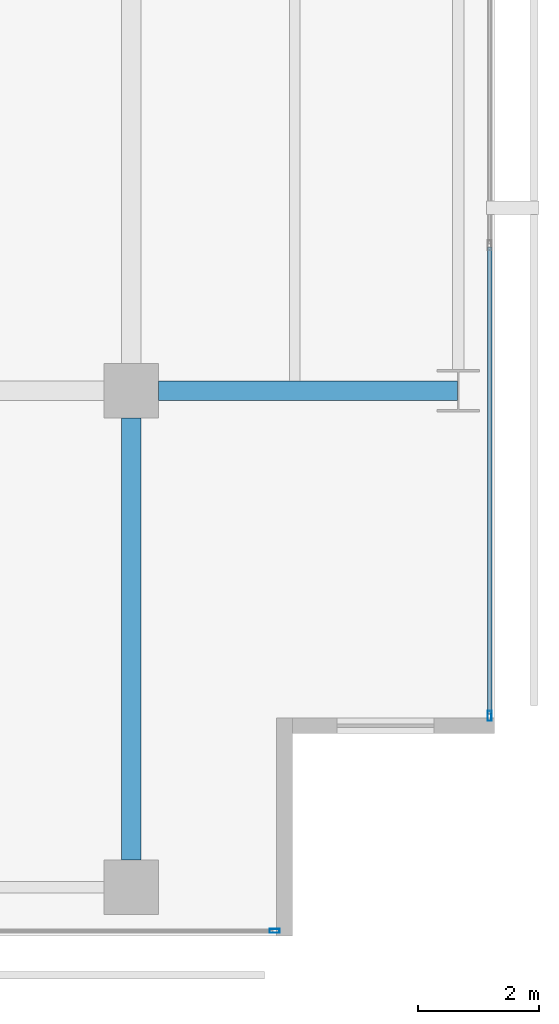
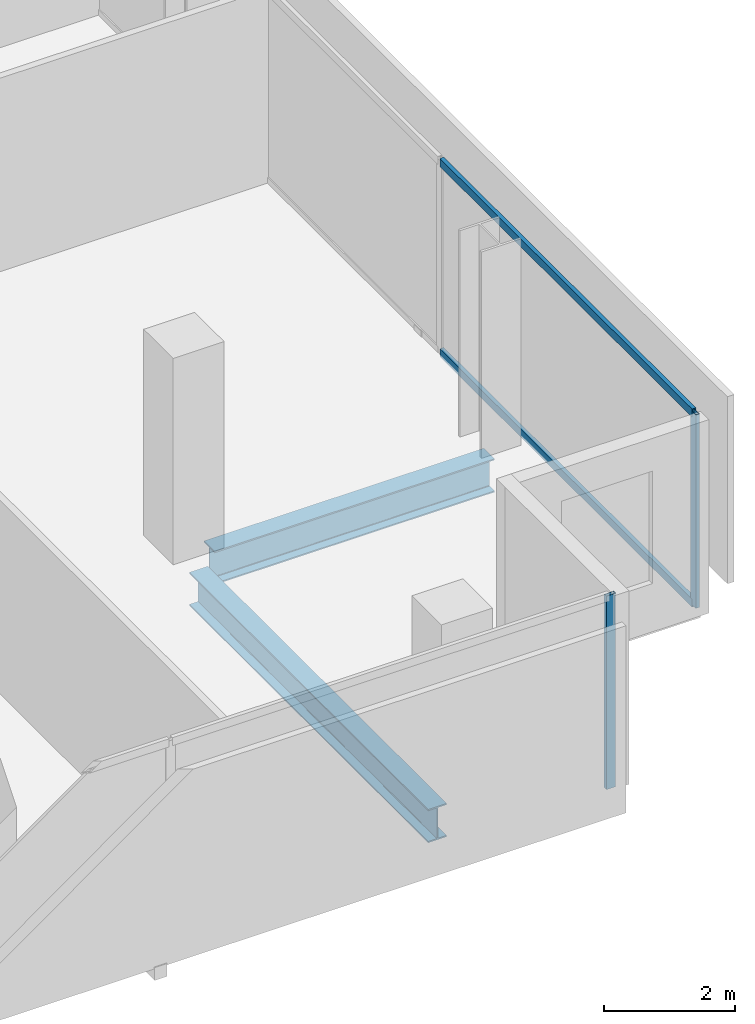
# One storey, part 16 of 40: 4 members, 2 beams, 2 elements without a shape of their own.
"""IFC4 building model written with IfcOpenShell, lengths in metres."""

from ifc_helpers import new_model, si_unit, direction, frame, origin, origin_2d, place, context, subcontext, project, spatial, hollow_rectangle, i_section, extrude, material, layer, layer_set, material_profile, profile_set, type_object, element, aggregate, save


model = new_model("IFC4")

# Units and contexts
model_context = context("Model", 3, precision=1e-05, world=origin(), true_north=direction((0.0, 1.0)))
body_context = subcontext(model_context, "Body", "Model", "MODEL_VIEW")
ifc_project = project(units=[si_unit("LENGTHUNIT", "METRE"), si_unit("AREAUNIT", "SQUARE_METRE"), si_unit("VOLUMEUNIT", "CUBIC_METRE"), si_unit("PLANEANGLEUNIT", "RADIAN"), si_unit("MASSUNIT", "GRAM", prefix="KILO")], contexts=[model_context])

# Site, building, storey
site_placement = place(None, origin())
site = spatial("IfcSite", under=ifc_project, at=site_placement, CompositionType="ELEMENT")
building_placement = place(site_placement, origin())
building = spatial("IfcBuilding", under=site, at=building_placement, Name="Maruvema Waterfront Hotel and Observation Tower", CompositionType="ELEMENT")
storey_placement = place(building_placement, frame((0.0, 0.0, 42.35009765625)))
storey = spatial("IfcBuildingStorey", under=building, at=storey_placement, Name="L09", CompositionType="ELEMENT", Elevation=42.35009765625)

# Curtain wall, members
ifc_material_1 = material(Name="Anodised bronze aluminium and solar-control low-E IGU", Category="aluminium")
ifc_layer = layer(ifc_material_1, 0.159912109375, Name="Zone 1 Bronze Inner Thermal Curtain Wall System CW-02")
ifc_layer_set = layer_set([ifc_layer], Name="Anodised bronze aluminium and solar-control low-E IGU")
curtain_wall_type = type_object("IfcCurtainWallType", Name="Zone 1 Bronze Inner Thermal Curtain Wall System CW-02", PredefinedType="USERDEFINED", material=ifc_layer_set)
curtain_wall_1_placement = place(storey_placement, origin())
curtain_wall_1 = element("IfcCurtainWall", 1, at=curtain_wall_1_placement, inside=storey, type_object=curtain_wall_type, Name="L09 Curtain Wall CW-L09-E", ObjectType="UNITISED CURTAIN WALL", PredefinedType="USERDEFINED")
ifc_material_2 = material(Name="Anodised architectural bronze aluminium", Category="aluminium")
ifc_material_profile_1 = material_profile(ifc_material_2, hollow_rectangle(XDim=0.070068359375, YDim=0.14990234375, WallThickness=0.00390625, at=origin_2d()), Name="ALU-T70x150")
ifc_profile_set_1 = profile_set([ifc_material_profile_1], Name="Anodised architectural bronze aluminium")
member_type_1 = type_object("IfcMemberType", Name="Curtain Wall Horizontal Transom ALU-T70x150", PredefinedType="USERDEFINED", material=ifc_profile_set_1)
member_1_placement = place(storey_placement, frame((64.719970703125, 3.659912109375, 0.02978515625), z_axis=(0.0, 1.0, 0.0), x_axis=(-1.0, 0.0, 0.0)))
member_1 = element("IfcMember", 2, at=member_1_placement, type_object=member_type_1, Name="CW-02 transom 1.1", ObjectType="TRANSOM", PredefinedType="USERDEFINED", context=body_context, shape_type="SweptSolid", body=[
    extrude(hollow_rectangle(XDim=0.070068359375, YDim=0.14990234375, WallThickness=0.00390625, at=origin_2d()), origin(), (0.0, 0.0, 1.0), 7.710205078125),
])
member_2_placement = place(storey_placement, frame((64.719970703125, 3.659912109375, 3.579833984375), z_axis=(0.0, 1.0, 0.0), x_axis=(-1.0, 0.0, 0.0)))
member_2 = element("IfcMember", 3, at=member_2_placement, type_object=member_type_1, Name="CW-02 transom 1.2", ObjectType="TRANSOM", PredefinedType="USERDEFINED", context=body_context, shape_type="SweptSolid", body=[
    extrude(hollow_rectangle(XDim=0.070068359375, YDim=0.14990234375, WallThickness=0.00390625, at=origin_2d()), origin(), (0.0, 0.0, 1.0), 7.710205078125),
])

# Curtain wall, member
curtain_wall_2_placement = place(storey_placement, origin())
curtain_wall_2 = element("IfcCurtainWall", 4, at=curtain_wall_2_placement, inside=storey, type_object=curtain_wall_type, Name="L09 Curtain Wall CW-L09-S", ObjectType="UNITISED CURTAIN WALL", PredefinedType="USERDEFINED")
ifc_material_3 = material(Name="Anodised architectural bronze aluminium", Category="aluminium")
ifc_material_profile_2 = material_profile(ifc_material_3, hollow_rectangle(XDim=0.06494140625, YDim=0.1650390625, WallThickness=0.00390625, at=origin_2d()), Name="ALU-M65x165")
ifc_profile_set_2 = profile_set([ifc_material_profile_2], Name="Anodised architectural bronze aluminium")
member_type_2 = type_object("IfcMemberType", Name="Curtain Wall Primary Mullion ALU-M65x165", PredefinedType="MULLION", material=ifc_profile_set_2)
member_3_placement = place(storey_placement, frame((61.169921875, 0.080078125, 0.0), z_axis=(0.0, 0.0, 1.0), x_axis=(0.0, 1.0, 0.0)))
member_3 = element("IfcMember", 5, at=member_3_placement, type_object=member_type_2, Name="CW-02 mullion 7", PredefinedType="MULLION", context=body_context, shape_type="SweptSolid", body=[
    extrude(hollow_rectangle(XDim=0.06494140625, YDim=0.1650390625, WallThickness=0.00390625, at=origin_2d()), origin(), (0.0, 0.0, 1.0), 3.60986328125),
])
aggregate(curtain_wall_2, [member_3])

# Member
member_4_placement = place(storey_placement, frame((64.719970703125, 3.6298828125, 0.0), z_axis=(0.0, 0.0, 1.0), x_axis=(-1.0, 0.0, 0.0)))
member_4 = element("IfcMember", 6, at=member_4_placement, type_object=member_type_2, Name="CW-02 mullion 1", PredefinedType="MULLION", context=body_context, shape_type="SweptSolid", body=[
    extrude(hollow_rectangle(XDim=0.06494140625, YDim=0.1650390625, WallThickness=0.00390625, at=origin_2d()), origin(), (0.0, 0.0, 1.0), 3.60986328125),
])

aggregate(curtain_wall_1, [member_4, member_1, member_2])

# Beams
ifc_material_4 = material(Name="Steel ASTM A572 Grade 50", Category="steel")
ifc_material_profile_3 = material_profile(ifc_material_4, i_section(OverallWidth=0.326904296875, OverallDepth=0.6220703125, WebThickness=0.015380859375, FlangeThickness=0.0244140625, FilletRadius=0.01806640625, at=origin_2d()), Name="W610x195.0")
ifc_profile_set_3 = profile_set([ifc_material_profile_3], Name="Steel ASTM A572 Grade 50")
beam_type = type_object("IfcBeamType", Name="Primary Floor Girder W610x195.0", PredefinedType="BEAM", material=ifc_profile_set_3)
beam_1_placement = place(storey_placement, frame((59.25, 9.0, -0.551025390625), z_axis=(1.0, 0.0, 0.0), x_axis=(0.0, 1.0, 0.0)))
element("IfcBeam", 7, at=beam_1_placement, inside=storey, type_object=beam_type, Name="L09 Floor Girder EW-12", PredefinedType="BEAM", context=body_context, shape_type="SweptSolid", body=[
    extrude(i_section(OverallWidth=0.326904296875, OverallDepth=0.6220703125, WebThickness=0.015380859375, FlangeThickness=0.0244140625, FilletRadius=0.01806640625, at=origin_2d()), origin(), (0.0, 0.0, 1.0), 4.93603515625),
])
beam_2_placement = place(storey_placement, frame((58.800048828125, 1.25, -0.551025390625), z_axis=(0.0, 1.0, 0.0), x_axis=(-1.0, 0.0, 0.0)))
element("IfcBeam", 8, at=beam_2_placement, inside=storey, type_object=beam_type, Name="L09 Floor Girder NS-27", PredefinedType="BEAM", context=body_context, shape_type="SweptSolid", body=[
    extrude(i_section(OverallWidth=0.326904296875, OverallDepth=0.6220703125, WebThickness=0.015380859375, FlangeThickness=0.0244140625, FilletRadius=0.01806640625, at=origin_2d()), origin(), (0.0, 0.0, 1.0), 7.300048828125),
])

save(model, "model.ifc")
